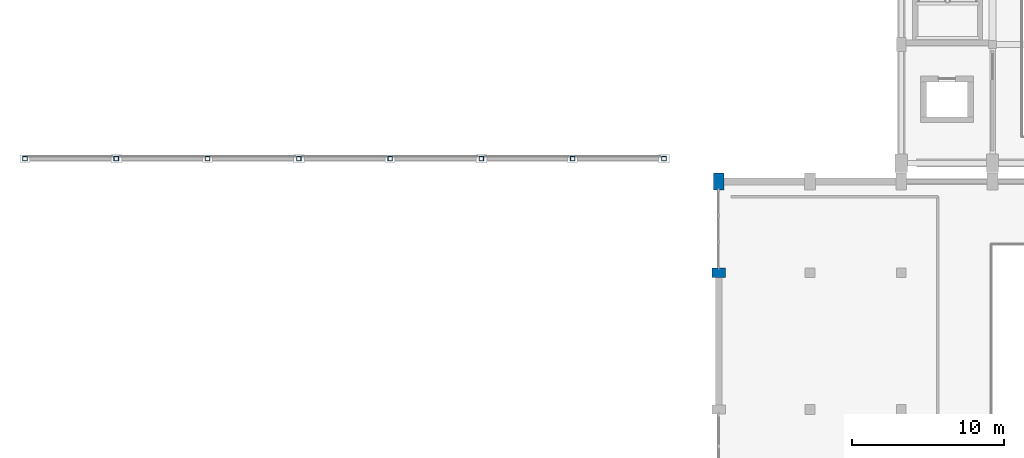
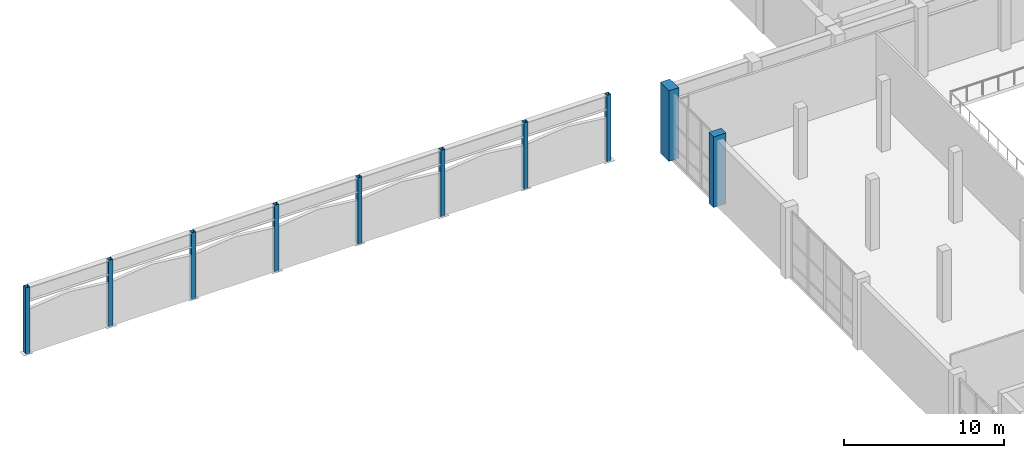
# One storey, part 2 of 41: 10 columns.
"""IFC4 building model written with IfcOpenShell, lengths in metres."""

from ifc_helpers import new_model, si_unit, direction, frame, origin, origin_2d, place, context, subcontext, project, spatial, rectangle, hollow_rectangle, extrude, material, material_profile, profile_set, type_object, element, save


model = new_model("IFC4")

# Units and contexts
model_context = context("Model", 3, precision=1e-05, world=origin(), true_north=direction((0.0, 1.0)))
body_context = subcontext(model_context, "Body", "Model", "MODEL_VIEW")
ifc_project = project(units=[si_unit("LENGTHUNIT", "METRE"), si_unit("AREAUNIT", "SQUARE_METRE"), si_unit("VOLUMEUNIT", "CUBIC_METRE"), si_unit("PLANEANGLEUNIT", "RADIAN"), si_unit("MASSUNIT", "GRAM", prefix="KILO")], contexts=[model_context])

# Site, building, storey
site_placement = place(None, origin())
site = spatial("IfcSite", under=ifc_project, at=site_placement, CompositionType="ELEMENT")
building_placement = place(site_placement, origin())
building = spatial("IfcBuilding", under=site, at=building_placement, Name="Vaelkrest Opera House", CompositionType="ELEMENT")
storey_placement = place(building_placement, frame((0.0, 0.0, 24.60009765625)))
storey = spatial("IfcBuildingStorey", under=building, at=storey_placement, Name="L05", CompositionType="ELEMENT", Elevation=24.60009765625)

# Columns
ifc_material_1 = material(Name="Concrete C50/60", Category="concrete")
ifc_material_profile_1 = material_profile(ifc_material_1, rectangle(XDim=0.60009765625, YDim=0.89990234375, at=origin_2d()), Name="RC600X900")
ifc_profile_set_1 = profile_set([ifc_material_profile_1], Name="Concrete C50/60")
column_type_1 = type_object("IfcColumnType", Name="C06", PredefinedType="COLUMN", material=ifc_profile_set_1)
column_1_placement = place(storey_placement, frame((-30.0, 10.199951171875, 0.0), z_axis=(0.0, 0.0, 1.0), x_axis=(0.0, 1.0, 0.0)))
element("IfcColumn", 1, at=column_1_placement, inside=storey, type_object=column_type_1, Name="Column COL-V1-L05-0402", PredefinedType="COLUMN", context=body_context, shape_type="SweptSolid", body=[
    extrude(rectangle(XDim=0.60009765625, YDim=0.89990234375, at=origin_2d()), origin(), (0.0, 0.0, 1.0), 5.39990234375),
])
ifc_material_profile_2 = material_profile(ifc_material_1, rectangle(XDim=0.699951171875, YDim=1.10009765625, at=origin_2d()), Name="RC700X1100")
ifc_profile_set_2 = profile_set([ifc_material_profile_2], Name="Concrete C50/60")
column_type_2 = type_object("IfcColumnType", Name="C07", PredefinedType="COLUMN", material=ifc_profile_set_2)
column_2_placement = place(storey_placement, frame((-30.0, 16.199951171875, 0.0), z_axis=(0.0, 0.0, 1.0), x_axis=(1.0, 0.0, 0.0)))
element("IfcColumn", 2, at=column_2_placement, inside=storey, type_object=column_type_2, Name="Column COL-V1-L05-0403", PredefinedType="COLUMN", context=body_context, shape_type="SweptSolid", body=[
    extrude(rectangle(XDim=0.699951171875, YDim=1.10009765625, at=origin_2d()), origin(), (0.0, 0.0, 1.0), 5.39990234375),
])
ifc_material_2 = material(Name="Steel A500 GrC", Category="steel")
ifc_material_profile_3 = material_profile(ifc_material_2, hollow_rectangle(XDim=0.304931640625, YDim=0.304931640625, WallThickness=0.015869140625, at=origin_2d()), Name="HSS305X305X15.9")
ifc_profile_set_3 = profile_set([ifc_material_profile_3], Name="Steel A500 GrC")
column_type_3 = type_object("IfcColumnType", Name="C12", PredefinedType="COLUMN", material=ifc_profile_set_3)
for number, where, z_axis, x_axis, name in (
    (3, (-75.60009765625, 17.699951171875, 0.0), (0.0, 0.0, 1.0), (1.0, 0.0, 0.0), "Roof fold pier post V3-N-00"),
    (4, (-69.60009765625, 17.699951171875, 0.0), (0.0, 0.0, 1.0), (1.0, 0.0, 0.0), "Roof fold pier post V3-N-01"),
    (5, (-63.60009765625, 17.699951171875, 0.0), (0.0, 0.0, 1.0), (1.0, 0.0, 0.0), "Roof fold pier post V3-N-02"),
    (6, (-57.60009765625, 17.699951171875, 0.0), (0.0, 0.0, 1.0), (1.0, 0.0, 0.0), "Roof fold pier post V3-N-03"),
    (7, (-51.60009765625, 17.699951171875, 0.0), (0.0, 0.0, 1.0), (1.0, 0.0, 0.0), "Roof fold pier post V3-N-04"),
    (8, (-45.60009765625, 17.699951171875, 0.0), (0.0, 0.0, 1.0), (1.0, 0.0, 0.0), "Roof fold pier post V3-N-05"),
    (9, (-39.60009765625, 17.699951171875, 0.0), (0.0, 0.0, 1.0), (1.0, 0.0, 0.0), "Roof fold pier post V3-N-06"),
    (10, (-33.60009765625, 17.699951171875, 0.0), (0.0, 0.0, 1.0), (1.0, 0.0, 0.0), "Roof fold pier post V3-N-07"),
):
    element("IfcColumn", number, at=place(storey_placement, frame(where, z_axis=z_axis, x_axis=x_axis)), inside=storey, type_object=column_type_3, Name=name, PredefinedType="COLUMN", context=body_context, shape_type="SweptSolid", body=[
        extrude(hollow_rectangle(XDim=0.304931640625, YDim=0.304931640625, WallThickness=0.015869140625, at=origin_2d()), origin(), (0.0, 0.0, 1.0), 5.0888671875),
    ])

save(model, "model.ifc")
